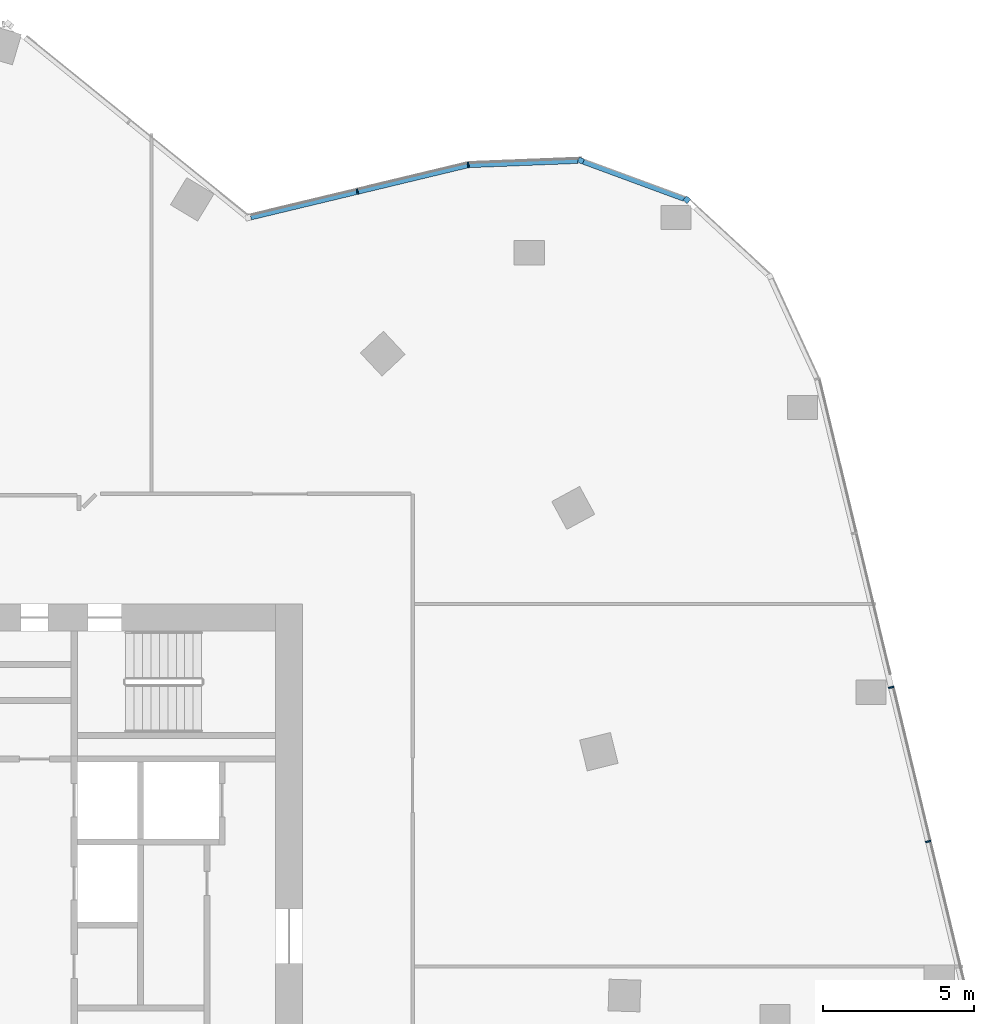
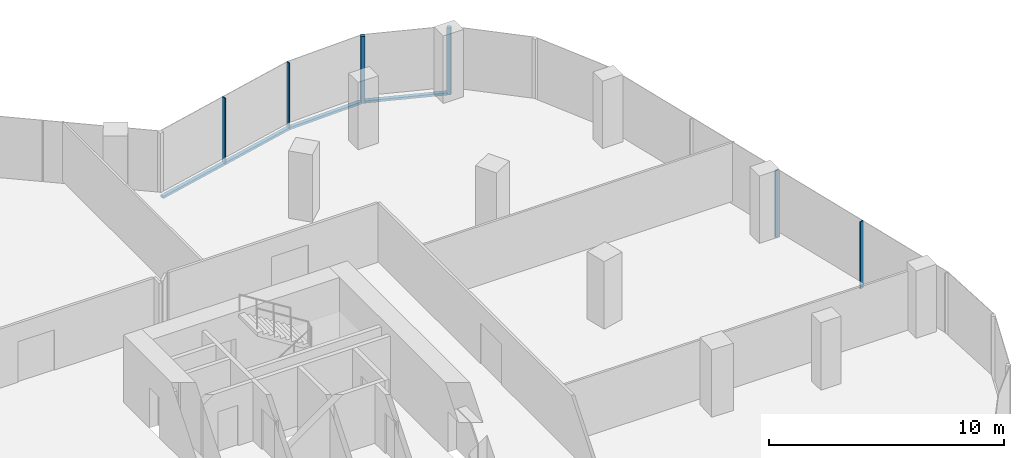
# One storey, part 12 of 26: 9 members, 5 elements without a shape of their own.
"""IFC4 building model written with IfcOpenShell, lengths in metres."""

from ifc_helpers import new_model, si_unit, direction, frame, origin, origin_2d, place, context, subcontext, project, spatial, rectangle, extrude, material, material_profile, profile_set, type_object, element, aggregate, save


model = new_model("IFC4")

# Units and contexts
model_context = context("Model", 3, precision=1e-05, world=origin(), true_north=direction((0.0, 1.0)))
body_context = subcontext(model_context, "Body", "Model", "MODEL_VIEW")
ifc_project = project(units=[si_unit("LENGTHUNIT", "METRE"), si_unit("AREAUNIT", "SQUARE_METRE"), si_unit("VOLUMEUNIT", "CUBIC_METRE"), si_unit("PLANEANGLEUNIT", "RADIAN"), si_unit("MASSUNIT", "GRAM", prefix="KILO")], contexts=[model_context])

# Site, building, storey
site_placement = place(None, origin())
site = spatial("IfcSite", under=ifc_project, at=site_placement, CompositionType="ELEMENT")
building_placement = place(site_placement, origin())
building = spatial("IfcBuilding", under=site, at=building_placement, Name="Orlundy Tower", CompositionType="ELEMENT")
storey_placement = place(building_placement, frame((0.0, 0.0, 214.0)))
storey = spatial("IfcBuildingStorey", under=building, at=storey_placement, Name="L56", CompositionType="ELEMENT", Elevation=214.0)

# Curtain wall, member
ifc_material_1 = material(Name="Aluminium bronze anodised", Category="aluminium")
curtain_wall_type = type_object("IfcCurtainWallType", Name="CW1 wall", PredefinedType="NOTDEFINED", material=ifc_material_1)
curtain_wall_1_placement = place(storey_placement, origin())
curtain_wall_1 = element("IfcCurtainWall", 1, at=curtain_wall_1_placement, inside=storey, type_object=curtain_wall_type, Name="CW1 run 08", PredefinedType="NOTDEFINED")
ifc_material_2 = material(Name="Aluminium bronze anodised", Category="aluminium")
ifc_material_profile_1 = material_profile(ifc_material_2, rectangle(XDim=0.179931640625, YDim=0.179931640625, at=origin_2d()), Name="CW1 corner post 180x180")
ifc_profile_set_1 = profile_set([ifc_material_profile_1], Name="Aluminium bronze anodised")
member_type_1 = type_object("IfcMemberType", Name="CW1 corner post 180x180", PredefinedType="MULLION", material=ifc_profile_set_1)
member_1_placement = place(storey_placement, frame((28.220458984375, 26.6865234375, -0.39990234375), z_axis=(0.0, 0.0, 1.0), x_axis=(0.346092852283, 0.938200265188, 0.0)))
member_1 = element("IfcMember", 2, at=member_1_placement, type_object=member_type_1, Name="CW1 mullion 29", PredefinedType="MULLION", context=body_context, shape_type="SweptSolid", body=[
    extrude(rectangle(XDim=0.179931640625, YDim=0.179931640625, at=origin_2d()), origin(), (0.0, 0.0, 1.0), 3.47998046875),
])

curtain_wall_2_placement = place(storey_placement, origin())
curtain_wall_2 = element("IfcCurtainWall", 3, at=curtain_wall_2_placement, inside=storey, type_object=curtain_wall_type, Name="CW1 run 09", PredefinedType="NOTDEFINED")
member_2_placement = place(storey_placement, frame((31.73193359375, 25.391357421875, -0.39990234375), z_axis=(0.0, 0.0, 1.0), x_axis=(0.678772971258, 0.734348182738, 0.0)))
member_2 = element("IfcMember", 4, at=member_2_placement, type_object=member_type_1, Name="CW1 mullion 30", PredefinedType="MULLION", context=body_context, shape_type="SweptSolid", body=[
    extrude(rectangle(XDim=0.179931640625, YDim=0.179931640625, at=origin_2d()), origin(), (0.0, 0.0, 1.0), 3.47998046875),
])
aggregate(curtain_wall_2, [member_2])

curtain_wall_3_placement = place(storey_placement, origin())
curtain_wall_3 = element("IfcCurtainWall", 5, at=curtain_wall_3_placement, inside=storey, type_object=curtain_wall_type, Name="CW1 run 06", PredefinedType="NOTDEFINED")
ifc_material_3 = material(Name="Aluminium bronze anodised", Category="aluminium")
ifc_material_profile_2 = material_profile(ifc_material_3, rectangle(XDim=0.179931640625, YDim=0.050048828125, at=origin_2d()), Name="CW1 mullion 50x180")
ifc_profile_set_2 = profile_set([ifc_material_profile_2], Name="Aluminium bronze anodised")
member_type_2 = type_object("IfcMemberType", Name="CW1 mullion 50x180", PredefinedType="MULLION", material=ifc_profile_set_2)
member_3_placement = place(storey_placement, frame((20.819091796875, 25.658935546875, -0.39990234375), z_axis=(0.0, 0.0, 1.0), x_axis=(-0.233528608579, 0.972349931339, 0.0)))
member_3 = element("IfcMember", 6, at=member_3_placement, type_object=member_type_2, Name="CW1 mullion 27", PredefinedType="MULLION", context=body_context, shape_type="SweptSolid", body=[
    extrude(rectangle(XDim=0.179931640625, YDim=0.050048828125, at=origin_2d()), origin(), (0.0, 0.0, 1.0), 3.47998046875),
])

curtain_wall_4_placement = place(storey_placement, origin())
curtain_wall_4 = element("IfcCurtainWall", 7, at=curtain_wall_4_placement, inside=storey, type_object=curtain_wall_type, Name="CW1 run 07", PredefinedType="NOTDEFINED")
member_4_placement = place(storey_placement, frame((24.489501953125, 26.54052734375, -0.39990234375), z_axis=(0.0, 0.0, 1.0), x_axis=(-0.136983908445, 0.990573272821, 0.0)))
member_4 = element("IfcMember", 8, at=member_4_placement, type_object=member_type_2, Name="CW1 mullion 28", PredefinedType="MULLION", context=body_context, shape_type="SweptSolid", body=[
    extrude(rectangle(XDim=0.179931640625, YDim=0.050048828125, at=origin_2d()), origin(), (0.0, 0.0, 1.0), 3.47998046875),
])

# Curtain wall, members
curtain_wall_5_placement = place(storey_placement, origin())
curtain_wall_5 = element("IfcCurtainWall", 9, at=curtain_wall_5_placement, inside=storey, type_object=curtain_wall_type, Name="CW1 run 011", PredefinedType="NOTDEFINED")
member_5_placement = place(storey_placement, frame((38.49609375, 9.241943359375, -0.39990234375), z_axis=(0.0, 0.0, 1.0), x_axis=(0.972363523859, 0.233472005748, 0.0)))
member_5 = element("IfcMember", 10, at=member_5_placement, type_object=member_type_2, Name="CW1 mullion 34", PredefinedType="MULLION", context=body_context, shape_type="SweptSolid", body=[
    extrude(rectangle(XDim=0.179931640625, YDim=0.050048828125, at=origin_2d()), origin(), (0.0, 0.0, 1.0), 3.47998046875),
])
member_6_placement = place(storey_placement, frame((39.7216796875, 4.136962890625, -0.39990234375), z_axis=(0.0, 0.0, 1.0), x_axis=(0.972363523859, 0.233472005748, 0.0)))
member_6 = element("IfcMember", 11, at=member_6_placement, type_object=member_type_2, Name="CW1 mullion 35", PredefinedType="MULLION", context=body_context, shape_type="SweptSolid", body=[
    extrude(rectangle(XDim=0.179931640625, YDim=0.050048828125, at=origin_2d()), origin(), (0.0, 0.0, 1.0), 3.47998046875),
])
aggregate(curtain_wall_5, [member_5, member_6])

# Member
ifc_material_4 = material(Name="Aluminium bronze anodised", Category="aluminium")
ifc_material_profile_3 = material_profile(ifc_material_4, rectangle(XDim=0.179931640625, YDim=0.1201171875, at=origin_2d()), Name="CW1 transom 180x120")
ifc_profile_set_3 = profile_set([ifc_material_profile_3], Name="Aluminium bronze anodised")
member_type_3 = type_object("IfcMemberType", Name="CW1 transom 180x120", PredefinedType="USERDEFINED", material=ifc_profile_set_3)
member_7_placement = place(storey_placement, frame((17.28759765625, 24.810791015625, -0.340087890625), z_axis=(0.972347959414, 0.233536818988, 0.0), x_axis=(-0.233536818988, 0.972347959414, 0.0)))
member_7 = element("IfcMember", 12, at=member_7_placement, type_object=member_type_3, Name="CW1 transom", ObjectType="TRANSOM", PredefinedType="USERDEFINED", context=body_context, shape_type="SweptSolid", body=[
    extrude(rectangle(XDim=0.179931640625, YDim=0.1201171875, at=origin_2d()), origin(), (0.0, 0.0, 1.0), 7.381591796875),
])

aggregate(curtain_wall_3, [member_3, member_7])

member_8_placement = place(storey_placement, frame((24.5146484375, 26.54150390625, -0.340087890625), z_axis=(0.999233558965, 0.039144535226, 0.0), x_axis=(-0.039144535226, 0.999233558965, 0.0)))
member_8 = element("IfcMember", 13, at=member_8_placement, type_object=member_type_3, Name="CW1 transom", ObjectType="TRANSOM", PredefinedType="USERDEFINED", context=body_context, shape_type="SweptSolid", body=[
    extrude(rectangle(XDim=0.179931640625, YDim=0.1201171875, at=origin_2d()), origin(), (0.0, 0.0, 1.0), 3.611083984375),
])

aggregate(curtain_wall_4, [member_4, member_8])

member_9_placement = place(storey_placement, frame((28.3046875, 26.655517578125, -0.340087890625), z_axis=(0.938211752015, -0.346061711809, 0.0), x_axis=(0.346061711809, 0.938211752015, 0.0)))
member_9 = element("IfcMember", 14, at=member_9_placement, type_object=member_type_3, Name="CW1 transom", ObjectType="TRANSOM", PredefinedType="USERDEFINED", context=body_context, shape_type="SweptSolid", body=[
    extrude(rectangle(XDim=0.179931640625, YDim=0.1201171875, at=origin_2d()), origin(), (0.0, 0.0, 1.0), 3.5556640625),
])

aggregate(curtain_wall_1, [member_1, member_9])

save(model, "model.ifc")
